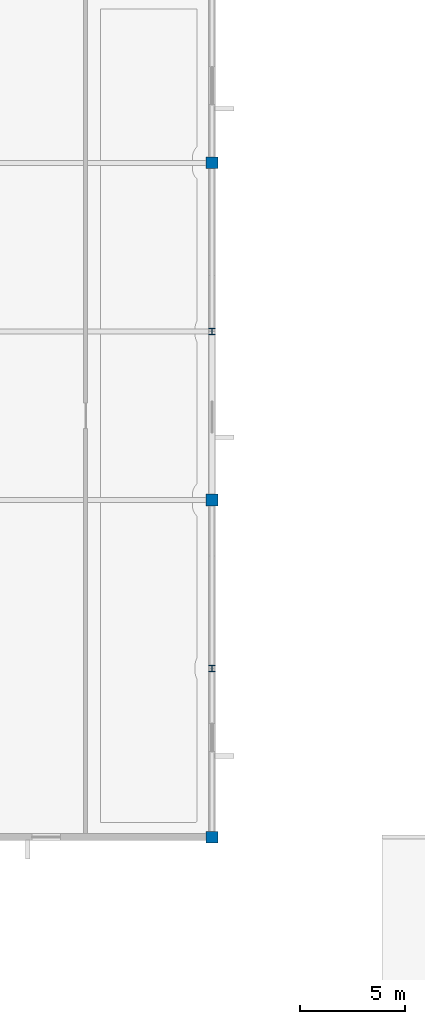
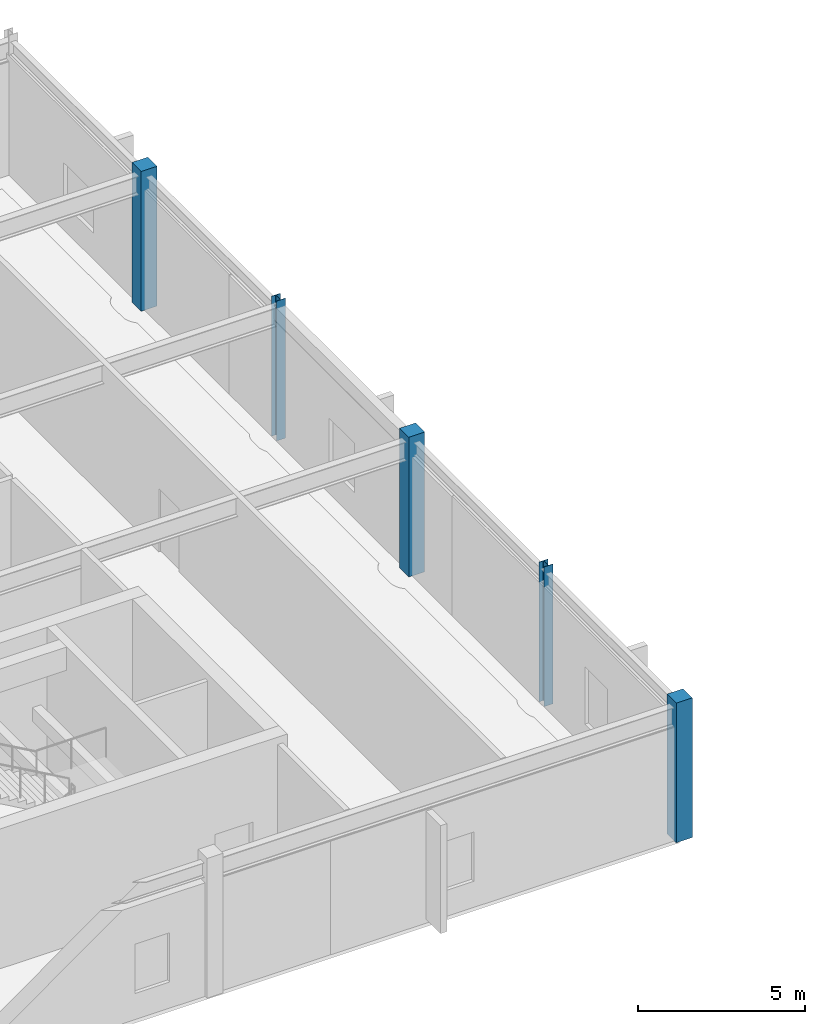
# One storey, part 13 of 107: 5 columns.
"""IFC4 building model written with IfcOpenShell, lengths in metres."""

from ifc_helpers import new_model, si_unit, direction, frame, origin, origin_2d, place, context, subcontext, project, spatial, rectangle, i_section, extrude, material, material_profile, profile_set, type_object, element, save


model = new_model("IFC4")

# Units and contexts
model_context = context("Model", 3, precision=1e-05, world=origin(), true_north=direction((0.0, 1.0)))
body_context = subcontext(model_context, "Body", "Model", "MODEL_VIEW")
ifc_project = project(units=[si_unit("LENGTHUNIT", "METRE"), si_unit("AREAUNIT", "SQUARE_METRE"), si_unit("VOLUMEUNIT", "CUBIC_METRE"), si_unit("PLANEANGLEUNIT", "RADIAN"), si_unit("MASSUNIT", "GRAM", prefix="KILO")], contexts=[model_context])

# Site, building, storey
site_placement = place(None, origin())
site = spatial("IfcSite", under=ifc_project, at=site_placement, CompositionType="ELEMENT")
building_placement = place(site_placement, origin())
building = spatial("IfcBuilding", under=site, at=building_placement, Name="Tarnveldt Square Police Headquarters", CompositionType="ELEMENT")
storey_placement = place(building_placement, frame((0.0, 0.0, 14.699951171875)))
storey = spatial("IfcBuildingStorey", under=building, at=storey_placement, Name="L03", CompositionType="ELEMENT", Elevation=14.699951171875)

# Columns
ifc_material_1 = material(Name="Concrete 40 MPa", Category="concrete")
ifc_material_profile_1 = material_profile(ifc_material_1, rectangle(XDim=0.550048828125, YDim=0.550048828125, at=origin_2d()), Name="RC-C550x550")
ifc_profile_set_1 = profile_set([ifc_material_profile_1], Name="Concrete 40 MPa")
column_type_1 = type_object("IfcColumnType", Name="COL-RC550", PredefinedType="COLUMN", material=ifc_profile_set_1)
for number, where, z_axis, x_axis, name in (
    (1, (129.60009765625, 56.0, 0.0), (0.0, 0.0, 1.0), (1.0, 0.0, 0.0), "L03 Column 172"),
    (2, (129.60009765625, 72.0, 0.0), (0.0, 0.0, 1.0), (1.0, 0.0, 0.0), "L03 Column 174"),
    (3, (129.60009765625, 88.0, 0.0), (0.0, 0.0, 1.0), (1.0, 0.0, 0.0), "L03 Column 176"),
):
    element("IfcColumn", number, at=place(storey_placement, frame(where, z_axis=z_axis, x_axis=x_axis)), inside=storey, type_object=column_type_1, Name=name, PredefinedType="COLUMN", context=body_context, shape_type="SweptSolid", body=[
        extrude(rectangle(XDim=0.550048828125, YDim=0.550048828125, at=origin_2d()), origin(), (0.0, 0.0, 1.0), 5.10009765625),
    ])
ifc_material_2 = material(Name="Steel 350W", Category="steel")
ifc_material_profile_2 = material_profile(ifc_material_2, i_section(OverallWidth=0.304931640625, OverallDepth=0.30810546875, WebThickness=0.010009765625, FlangeThickness=0.015380859375, FilletRadius=0.014892578125, at=origin_2d()), Name="W310x97")
ifc_profile_set_2 = profile_set([ifc_material_profile_2], Name="Steel 350W")
column_type_2 = type_object("IfcColumnType", Name="COL-W310x97", PredefinedType="COLUMN", material=ifc_profile_set_2)
for number, where, z_axis, x_axis, name in (
    (4, (129.60009765625, 64.0, 0.0), (0.0, 0.0, 1.0), (1.0, 0.0, 0.0), "L03 Column 173"),
    (5, (129.60009765625, 80.0, 0.0), (0.0, 0.0, 1.0), (1.0, 0.0, 0.0), "L03 Column 175"),
):
    element("IfcColumn", number, at=place(storey_placement, frame(where, z_axis=z_axis, x_axis=x_axis)), inside=storey, type_object=column_type_2, Name=name, PredefinedType="COLUMN", context=body_context, shape_type="SweptSolid", body=[
        extrude(i_section(OverallWidth=0.304931640625, OverallDepth=0.30810546875, WebThickness=0.010009765625, FlangeThickness=0.015380859375, FilletRadius=0.014892578125, at=origin_2d()), origin(), (0.0, 0.0, 1.0), 5.10009765625),
    ])

save(model, "model.ifc")
